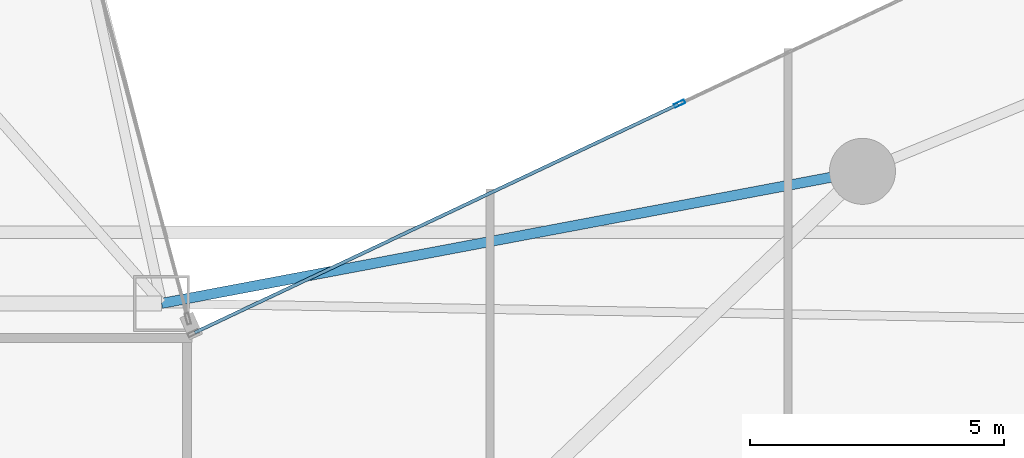
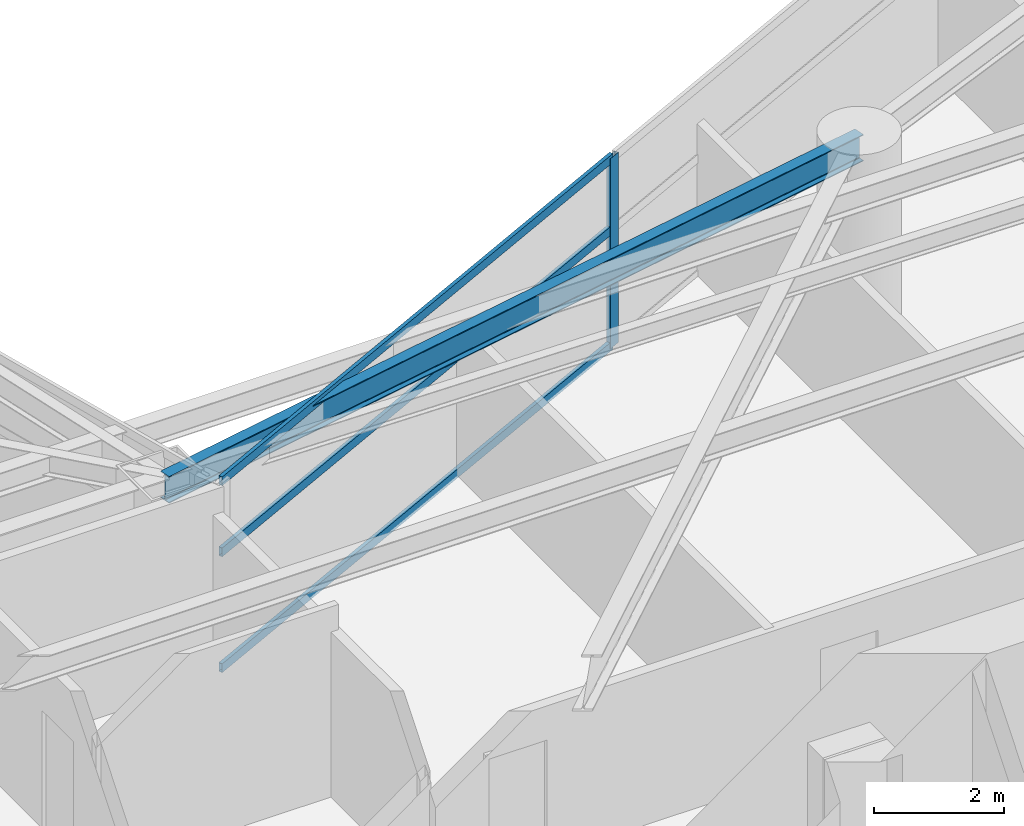
# One storey, part 11 of 29: 4 members, 1 beam, 1 element without a shape of its own.
"""IFC4 building model written with IfcOpenShell, lengths in metres."""

from ifc_helpers import new_model, si_unit, direction, frame, origin, origin_2d, place, context, subcontext, project, spatial, hollow_rectangle, i_section, extrude, material, layer, layer_set, material_profile, profile_set, type_object, element, aggregate, save


model = new_model("IFC4")

# Units and contexts
model_context = context("Model", 3, precision=1e-05, world=origin(), true_north=direction((0.0, 1.0)))
body_context = subcontext(model_context, "Body", "Model", "MODEL_VIEW")
ifc_project = project(units=[si_unit("LENGTHUNIT", "METRE"), si_unit("AREAUNIT", "SQUARE_METRE"), si_unit("VOLUMEUNIT", "CUBIC_METRE"), si_unit("PLANEANGLEUNIT", "RADIAN"), si_unit("MASSUNIT", "GRAM", prefix="KILO")], contexts=[model_context])

# Site, building, storey
site_placement = place(None, origin())
site = spatial("IfcSite", under=ifc_project, at=site_placement, CompositionType="ELEMENT")
building_placement = place(site_placement, origin())
building = spatial("IfcBuilding", under=site, at=building_placement, Name="Calvorn Quay Hotel", CompositionType="ELEMENT")
storey_placement = place(building_placement, frame((0.0, 0.0, 62.199951171875)))
storey = spatial("IfcBuildingStorey", under=building, at=storey_placement, Name="L14", CompositionType="ELEMENT", Elevation=62.199951171875)

# Beam
ifc_material_1 = material(Name="Steel Q355B", Category="steel")
ifc_material_profile_1 = material_profile(ifc_material_1, i_section(OverallWidth=0.199951171875, OverallDepth=0.5, WebThickness=0.010009765625, FlangeThickness=0.01611328125, FilletRadius=0.01611328125, at=origin_2d()), Name="HN500x200x10x16")
ifc_profile_set_1 = profile_set([ifc_material_profile_1], Name="Steel Q355B")
beam_type = type_object("IfcBeamType", Name="BM-SPANDREL-Z1", PredefinedType="SPANDREL", material=ifc_profile_set_1)
beam_placement = place(storey_placement, frame((34.800048828125, 27.60009765625, 3.2900390625), z_axis=(-0.982709432406, -0.185154452988, 0.0), x_axis=(0.185154452988, -0.982709432406, 0.0)))
element("IfcBeam", 1, at=beam_placement, inside=storey, type_object=beam_type, Name="Beam BSP-L14-E5", PredefinedType="SPANDREL", context=body_context, shape_type="SweptSolid", body=[
    extrude(i_section(OverallWidth=0.199951171875, OverallDepth=0.5, WebThickness=0.010009765625, FlangeThickness=0.01611328125, FilletRadius=0.01611328125, at=origin_2d()), origin(), (0.0, 0.0, 1.0), 14.04296875),
])

# Curtain wall, members
ifc_material_2 = material(Name="Pale Anodised Aluminium and Low-E Glass", Category="aluminium")
ifc_layer = layer(ifc_material_2, 0.219970703125)
ifc_layer_set = layer_set([ifc_layer], Name="CW-SYS-Z1")
curtain_wall_type = type_object("IfcCurtainWallType", Name="CW-SYS-Z1", PredefinedType="NOTDEFINED", material=ifc_layer_set)
curtain_wall_placement = place(storey_placement, origin())
curtain_wall = element("IfcCurtainWall", 2, at=curtain_wall_placement, inside=storey, type_object=curtain_wall_type, Name="Inner Court Curtain Wall L14-NE1", PredefinedType="NOTDEFINED")
ifc_material_3 = material(Name="Pale Anodised Aluminium 6063-T6", Category="aluminium")
ifc_material_profile_2 = material_profile(ifc_material_3, hollow_rectangle(XDim=0.074951171875, YDim=0.219970703125, WallThickness=0.00439453125, at=origin_2d()), Name="ALU-M220x75x4.5")
ifc_profile_set_2 = profile_set([ifc_material_profile_2], Name="Pale Anodised Aluminium 6063-T6")
member_type_1 = type_object("IfcMemberType", Name="CW-SYS-Z1-MUL", PredefinedType="MULLION", material=ifc_profile_set_2)
member_1_placement = place(storey_placement, frame((31.199951171875, 28.933349609375, 0.0), z_axis=(0.0, 0.0, 1.0), x_axis=(0.427006305415, -0.904248646743, 0.0)))
member_1 = element("IfcMember", 3, at=member_1_placement, type_object=member_type_1, Name="CW-L14-NE1 mullion 3", PredefinedType="MULLION", context=body_context, shape_type="SweptSolid", body=[
    extrude(hollow_rectangle(XDim=0.074951171875, YDim=0.219970703125, WallThickness=0.00439453125, at=origin_2d()), origin(), (0.0, 0.0, 1.0), 3.56005859375),
])
ifc_material_4 = material(Name="Pale Anodised Aluminium 6063-T6", Category="aluminium")
ifc_material_profile_3 = material_profile(ifc_material_4, hollow_rectangle(XDim=0.06494140625, YDim=0.1650390625, WallThickness=0.00341796875, at=origin_2d()), Name="ALU-T165x65x3.5")
ifc_profile_set_3 = profile_set([ifc_material_profile_3], Name="Pale Anodised Aluminium 6063-T6")
member_type_2 = type_object("IfcMemberType", Name="CW-SYS-Z1-TRN", PredefinedType="USERDEFINED", material=ifc_profile_set_3)
member_2_placement = place(storey_placement, frame((31.1728515625, 28.92041015625, 0.030029296875), z_axis=(-0.904248646746, -0.427006305408, 0.0), x_axis=(0.427006305408, -0.904248646746, 0.0)))
member_2 = element("IfcMember", 4, at=member_2_placement, type_object=member_type_2, Name="CW-L14-NE1 transom 3.1", ObjectType="TRANSOM", PredefinedType="USERDEFINED", context=body_context, shape_type="SweptSolid", body=[
    extrude(hollow_rectangle(XDim=0.06494140625, YDim=0.1650390625, WallThickness=0.00341796875, at=origin_2d()), origin(), (0.0, 0.0, 1.0), 10.5263671875),
])
member_3_placement = place(storey_placement, frame((31.1728515625, 28.92041015625, 2.199951171875), z_axis=(-0.904248646746, -0.427006305408, 0.0), x_axis=(0.427006305408, -0.904248646746, 0.0)))
member_3 = element("IfcMember", 5, at=member_3_placement, type_object=member_type_2, Name="CW-L14-NE1 transom 3.2", ObjectType="TRANSOM", PredefinedType="USERDEFINED", context=body_context, shape_type="SweptSolid", body=[
    extrude(hollow_rectangle(XDim=0.06494140625, YDim=0.1650390625, WallThickness=0.00341796875, at=origin_2d()), origin(), (0.0, 0.0, 1.0), 10.5263671875),
])
member_4_placement = place(storey_placement, frame((31.1728515625, 28.92041015625, 3.530029296875), z_axis=(-0.904248646746, -0.427006305408, 0.0), x_axis=(0.427006305408, -0.904248646746, 0.0)))
member_4 = element("IfcMember", 6, at=member_4_placement, type_object=member_type_2, Name="CW-L14-NE1 transom 3.3", ObjectType="TRANSOM", PredefinedType="USERDEFINED", context=body_context, shape_type="SweptSolid", body=[
    extrude(hollow_rectangle(XDim=0.06494140625, YDim=0.1650390625, WallThickness=0.00341796875, at=origin_2d()), origin(), (0.0, 0.0, 1.0), 10.5263671875),
])
aggregate(curtain_wall, [member_1, member_2, member_3, member_4])

save(model, "model.ifc")
